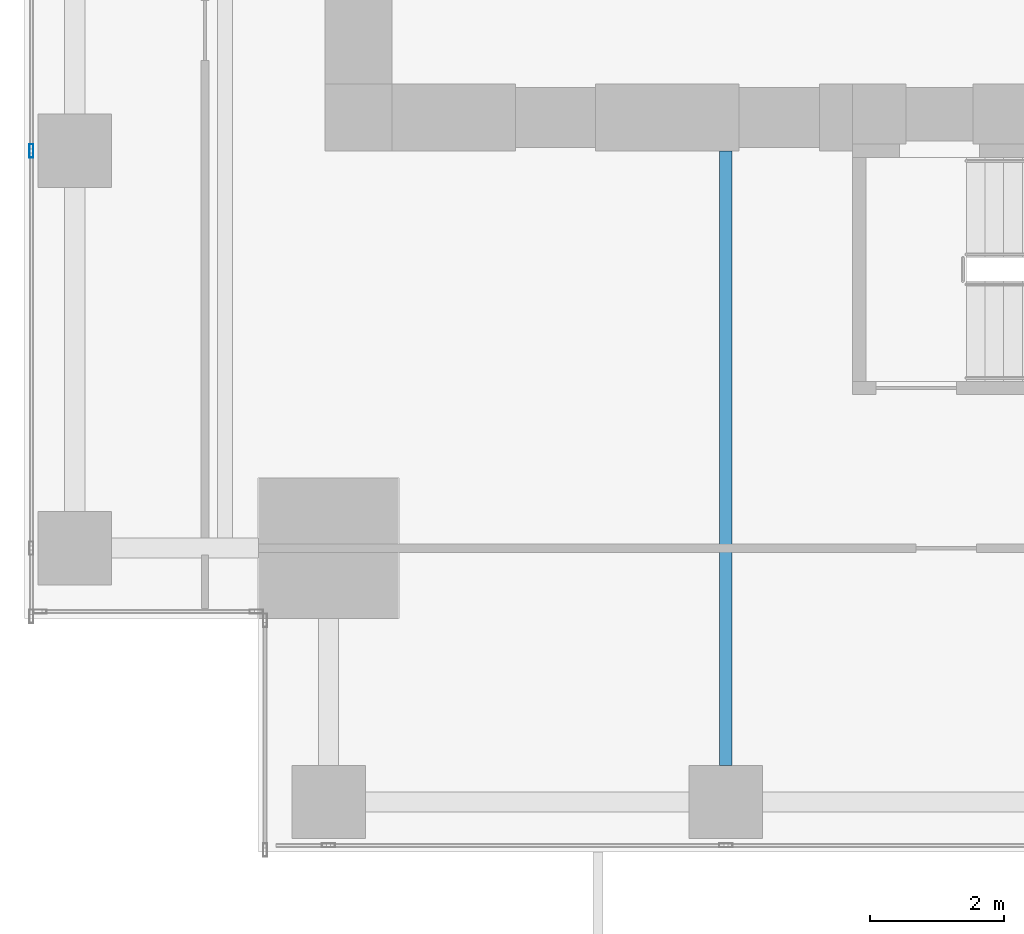
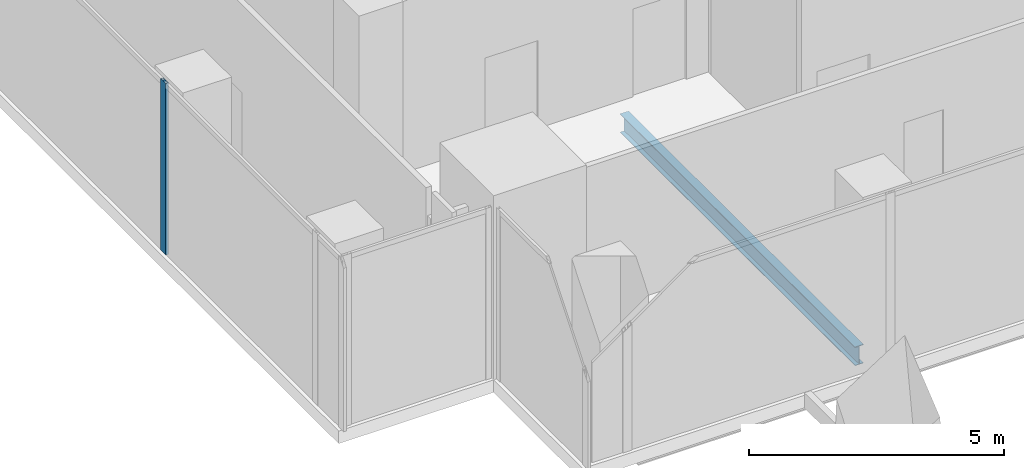
# One storey, part 4 of 35: 1 beam, 1 member, 1 element without a shape of its own.
"""IFC4 building model written with IfcOpenShell, lengths in metres."""

from ifc_helpers import new_model, si_unit, direction, frame, origin, origin_2d, place, context, subcontext, project, spatial, hollow_rectangle, i_section, extrude, source, transform, mapped, material, material_profile, profile_set, type_object, element, aggregate, save


model = new_model("IFC4")

# Units and contexts
model_context = context("Model", 3, precision=1e-05, world=origin(), true_north=direction((0.0, 1.0)))
body_context = subcontext(model_context, "Body", "Model", "MODEL_VIEW")
ifc_project = project(units=[si_unit("LENGTHUNIT", "METRE"), si_unit("AREAUNIT", "SQUARE_METRE"), si_unit("VOLUMEUNIT", "CUBIC_METRE"), si_unit("PLANEANGLEUNIT", "RADIAN"), si_unit("MASSUNIT", "GRAM", prefix="KILO")], contexts=[model_context])

# Site, building, storey
site_placement = place(None, origin())
site = spatial("IfcSite", under=ifc_project, at=site_placement, CompositionType="ELEMENT")
building_placement = place(site_placement, origin())
building = spatial("IfcBuilding", under=site, at=building_placement, Name="Khomas Fold Tower", CompositionType="ELEMENT")
storey_placement = place(building_placement, frame((0.0, 0.0, 136.699951171875)))
storey = spatial("IfcBuildingStorey", under=building, at=storey_placement, Name="L29", CompositionType="ELEMENT", Elevation=136.699951171875)

# Beam
ifc_material_1 = material(Name="Steel S355", Category="steel")
ifc_material_profile_1 = material_profile(ifc_material_1, i_section(OverallWidth=0.18994140625, OverallDepth=0.449951171875, WebThickness=0.009521484375, FlangeThickness=0.0146484375, at=origin_2d()), Name="IPE 450")
ifc_profile_set_1 = profile_set([ifc_material_profile_1], Name="Steel S355")
beam_type = type_object("IfcBeamType", Name="IPE 450 beam JB4", PredefinedType="BEAM", material=ifc_profile_set_1)
shared_shape_1 = source(origin(), body_context, "Body", "SweptSolid", [
    extrude(i_section(OverallWidth=0.18994140625, OverallDepth=0.449951171875, WebThickness=0.009521484375, FlangeThickness=0.0146484375, at=origin_2d()), origin(), (0.0, 0.0, 1.0), 9.199951171875),
])
beam_placement = place(storey_placement, frame((12.0, 2.800048828125, -0.52490234375), z_axis=(0.0, 1.0, 0.0), x_axis=(-1.0, 0.0, 0.0)))
element("IfcBeam", 1, at=beam_placement, inside=storey, type_object=beam_type, Name="JB4", PredefinedType="BEAM", context=body_context, shape_type="MappedRepresentation", body=[
    mapped(shared_shape_1, transform((0.0, 0.0, 0.0))),
])

# Curtain wall, member
ifc_material_2 = material(Name="Aluminium framed double glazing", Category="aluminium")
curtain_wall_type = type_object("IfcCurtainWallType", Name="SK-Unitised clear-glass wall, growing floors CW1", PredefinedType="NOTDEFINED", material=ifc_material_2)
curtain_wall_placement = place(storey_placement, origin())
curtain_wall = element("IfcCurtainWall", 2, at=curtain_wall_placement, inside=storey, type_object=curtain_wall_type, Name="CW1 run L29 09-1", PredefinedType="NOTDEFINED")
ifc_material_3 = material(Name="Aluminium", Category="aluminium")
ifc_material_profile_2 = material_profile(ifc_material_3, hollow_rectangle(XDim=0.06005859375, YDim=0.199951171875, WallThickness=0.00390625, at=origin_2d()), Name="SK-Unitised clear-glass wall, growing floors mullion CW1-M")
ifc_profile_set_2 = profile_set([ifc_material_profile_2], Name="Aluminium")
member_type = type_object("IfcMemberType", Name="SK-Unitised clear-glass wall, growing floors mullion CW1-M", PredefinedType="MULLION", material=ifc_profile_set_2)
shared_shape_2 = source(origin(), body_context, "Body", "SweptSolid", [
    extrude(hollow_rectangle(XDim=0.06005859375, YDim=0.199951171875, WallThickness=0.00390625, at=origin_2d()), origin(), (0.0, 0.0, 1.0), 4.10009765625),
])
member_placement = place(storey_placement, frame((1.60009765625, 12.0, 0.0), z_axis=(0.0, 0.0, 1.0), x_axis=(1.0, 0.0, 0.0)))
member = element("IfcMember", 3, at=member_placement, type_object=member_type, Name="CW1 mullion 4", PredefinedType="MULLION", context=body_context, shape_type="MappedRepresentation", body=[
    mapped(shared_shape_2, transform((0.0, 0.0, 0.0))),
])
aggregate(curtain_wall, [member])

save(model, "model.ifc")
